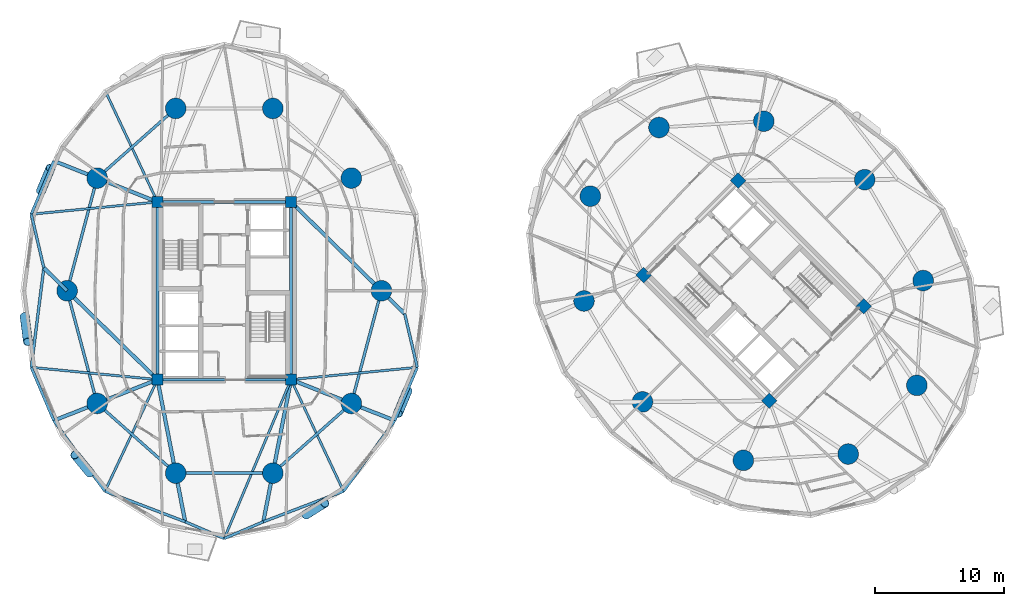
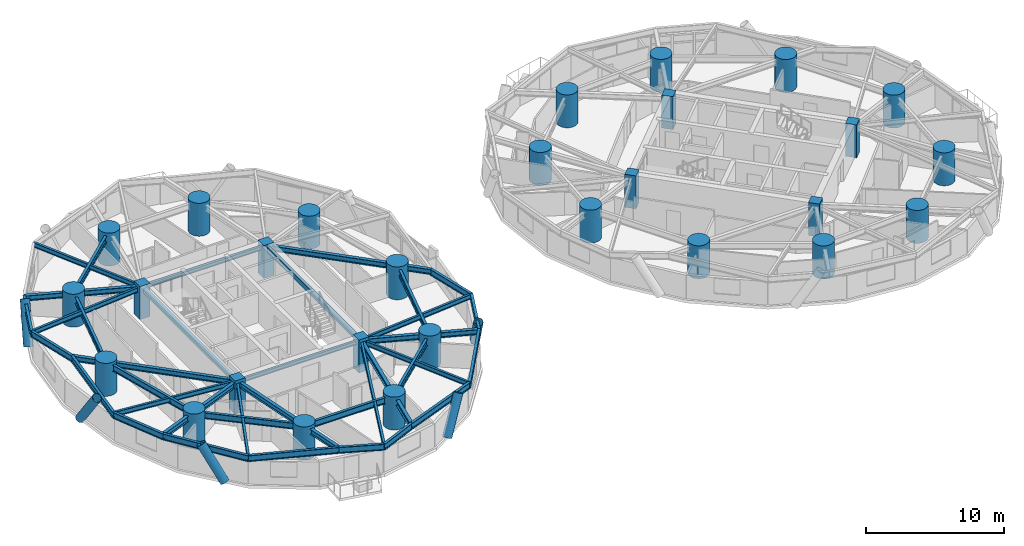
# One storey, part 1 of 19: 38 beams, 28 columns, 5 members.
"""IFC4 building model written with IfcOpenShell, lengths in metres."""

from ifc_helpers import new_model, si_unit, direction, frame, origin, origin_2d, place, context, subcontext, project, spatial, rectangle, hollow_rectangle, circle, hollow_circle, i_section, extrude, material, material_profile, profile_set, type_object, element, save


model = new_model("IFC4")

# Units and contexts
model_context = context("Model", 3, precision=1e-05, world=origin(), true_north=direction((0.0, 1.0)))
body_context = subcontext(model_context, "Body", "Model", "MODEL_VIEW")
ifc_project = project(units=[si_unit("LENGTHUNIT", "METRE"), si_unit("AREAUNIT", "SQUARE_METRE"), si_unit("VOLUMEUNIT", "CUBIC_METRE"), si_unit("PLANEANGLEUNIT", "RADIAN"), si_unit("MASSUNIT", "GRAM", prefix="KILO")], contexts=[model_context])

# Site, building, storey
site_placement = place(None, origin())
site = spatial("IfcSite", under=ifc_project, at=site_placement, CompositionType="ELEMENT")
building_placement = place(site_placement, origin())
building = spatial("IfcBuilding", under=site, at=building_placement, Name="Cununo Teusaquillo Station Towers", CompositionType="ELEMENT")
storey_placement = place(building_placement, frame((0.0, 0.0, 42.3701171875)))
storey = spatial("IfcBuildingStorey", under=building, at=storey_placement, Name="L12", CompositionType="ELEMENT", Elevation=42.3701171875)

# Columns
ifc_material_1 = material(Name="Concrete C50/60", Category="concrete")
ifc_material_profile_1 = material_profile(ifc_material_1, rectangle(XDim=0.85009765625, YDim=0.85009765625, at=origin_2d()), Name="RC-RECT-850x850")
ifc_profile_set_1 = profile_set([ifc_material_profile_1], Name="Concrete C50/60")
column_type_1 = type_object("IfcColumnType", Name="COL-CORE-Z1", PredefinedType="COLUMN", material=ifc_profile_set_1)
for number, where, z_axis, x_axis, name in (
    (1, (11.324951171875, 17.6201171875, 0.0), (0.0, 0.0, 1.0), (1.0, 0.0, 0.0), "L12 Tower A Core Column 1"),
    (2, (11.324951171875, 31.3798828125, 0.0), (0.0, 0.0, 1.0), (1.0, 0.0, 0.0), "L12 Tower A Core Column 2"),
    (3, (21.675048828125, 17.6201171875, 0.0), (0.0, 0.0, 1.0), (1.0, 0.0, 0.0), "L12 Tower A Core Column 3"),
    (4, (21.675048828125, 31.3798828125, 0.0), (0.0, 0.0, 1.0), (1.0, 0.0, 0.0), "L12 Tower A Core Column 4"),
    (5, (58.70556640625, 15.975830078125, 0.0), (0.0, 0.0, 1.0), (0.707106781187, 0.707106781187, 0.0), "L12 Tower B Core Column 1"),
    (6, (48.975830078125, 25.70556640625, 0.0), (0.0, 0.0, 1.0), (0.707106781187, 0.707106781187, 0.0), "L12 Tower B Core Column 2"),
    (7, (66.024169921875, 23.29443359375, 0.0), (0.0, 0.0, 1.0), (0.707106781187, 0.707106781187, 0.0), "L12 Tower B Core Column 3"),
    (8, (56.29443359375, 33.024169921875, 0.0), (0.0, 0.0, 1.0), (0.707106781187, 0.707106781187, 0.0), "L12 Tower B Core Column 4"),
):
    element("IfcColumn", number, at=place(storey_placement, frame(where, z_axis=z_axis, x_axis=x_axis)), inside=storey, type_object=column_type_1, Name=name, PredefinedType="COLUMN", context=body_context, shape_type="SweptSolid", body=[
        extrude(rectangle(XDim=0.85009765625, YDim=0.85009765625, at=origin_2d()), origin(), (0.0, 0.0, 1.0), 2.909912109375),
    ])
ifc_material_2 = material(Name="Concrete C60/75", Category="concrete")
ifc_material_profile_2 = material_profile(ifc_material_2, circle(Radius=0.800048828125, at=origin_2d()), Name="RC-CIRC-1600")
ifc_profile_set_2 = profile_set([ifc_material_profile_2], Name="Concrete C60/75")
column_type_2 = type_object("IfcColumnType", Name="COL-MEGA-Z1", PredefinedType="USERDEFINED", material=ifc_profile_set_2)
for number, where, z_axis, x_axis, name in (
    (9, (28.672119140625, 24.5, 0.0), (0.0, 0.0, 1.0), (1.0, 0.0, 0.0), "L12 Tower A Perimeter Column V00"),
    (10, (26.347412109375, 33.228515625, 0.0), (0.0, 0.0, 1.0), (1.0, 0.0, 0.0), "L12 Tower A Perimeter Column V02"),
    (11, (20.261474609375, 38.623291015625, 0.0), (0.0, 0.0, 1.0), (1.0, 0.0, 0.0), "L12 Tower A Perimeter Column V04"),
    (12, (12.738525390625, 38.623291015625, 0.0), (0.0, 0.0, 1.0), (1.0, 0.0, 0.0), "L12 Tower A Perimeter Column V06"),
    (13, (6.652587890625, 33.228515625, 0.0), (0.0, 0.0, 1.0), (1.0, 0.0, 0.0), "L12 Tower A Perimeter Column V08"),
    (14, (4.327880859375, 24.5, 0.0), (0.0, 0.0, 1.0), (1.0, 0.0, 0.0), "L12 Tower A Perimeter Column V10"),
    (15, (6.652587890625, 15.771484375, 0.0), (0.0, 0.0, 1.0), (1.0, 0.0, 0.0), "L12 Tower A Perimeter Column V12"),
    (16, (12.738525390625, 10.376708984375, 0.0), (0.0, 0.0, 1.0), (1.0, 0.0, 0.0), "L12 Tower A Perimeter Column V14"),
    (17, (20.261474609375, 10.376708984375, 0.0), (0.0, 0.0, 1.0), (1.0, 0.0, 0.0), "L12 Tower A Perimeter Column V16"),
    (18, (26.347412109375, 15.771484375, 0.0), (0.0, 0.0, 1.0), (1.0, 0.0, 0.0), "L12 Tower A Perimeter Column V18"),
    (19, (66.10693359375, 33.10693359375, 0.0), (0.0, 0.0, 1.0), (1.0, 0.0, 0.0), "L12 Tower B Perimeter Column V00"),
    (20, (58.291015625, 37.63525390625, 0.0), (0.0, 0.0, 1.0), (1.0, 0.0, 0.0), "L12 Tower B Perimeter Column V02"),
    (21, (50.173095703125, 37.146240234375, 0.0), (0.0, 0.0, 1.0), (1.0, 0.0, 0.0), "L12 Tower B Perimeter Column V04"),
    (22, (44.853759765625, 31.826904296875, 0.0), (0.0, 0.0, 1.0), (1.0, 0.0, 0.0), "L12 Tower B Perimeter Column V06"),
    (23, (44.36474609375, 23.708984375, 0.0), (0.0, 0.0, 1.0), (1.0, 0.0, 0.0), "L12 Tower B Perimeter Column V08"),
    (24, (48.89306640625, 15.89306640625, 0.0), (0.0, 0.0, 1.0), (1.0, 0.0, 0.0), "L12 Tower B Perimeter Column V10"),
    (25, (56.708984375, 11.36474609375, 0.0), (0.0, 0.0, 1.0), (1.0, 0.0, 0.0), "L12 Tower B Perimeter Column V12"),
    (26, (64.826904296875, 11.853759765625, 0.0), (0.0, 0.0, 1.0), (1.0, 0.0, 0.0), "L12 Tower B Perimeter Column V14"),
    (27, (70.146240234375, 17.173095703125, 0.0), (0.0, 0.0, 1.0), (1.0, 0.0, 0.0), "L12 Tower B Perimeter Column V16"),
    (28, (70.63525390625, 25.291015625, 0.0), (0.0, 0.0, 1.0), (1.0, 0.0, 0.0), "L12 Tower B Perimeter Column V18"),
):
    element("IfcColumn", number, at=place(storey_placement, frame(where, z_axis=z_axis, x_axis=x_axis)), inside=storey, type_object=column_type_2, Name=name, ObjectType="MEGA COLUMN", PredefinedType="USERDEFINED", context=body_context, shape_type="SweptSolid", body=[
        extrude(circle(Radius=0.800048828125, at=origin_2d()), origin(), (0.0, 0.0, 1.0), 2.909912109375),
    ])

# Beams
ifc_material_3 = material(Name="Steel EN 10025-2 S355J2", Category="steel")
ifc_material_profile_3 = material_profile(ifc_material_3, hollow_rectangle(XDim=0.25, YDim=0.449951171875, WallThickness=0.01611328125, at=origin_2d()), Name="RHS 450x250x16")
ifc_profile_set_3 = profile_set([ifc_material_profile_3], Name="Steel EN 10025-2 S355J2")
beam_type_1 = type_object("IfcBeamType", Name="BM-COUP-1", PredefinedType="USERDEFINED", material=ifc_profile_set_3)
for number, where, z_axis, x_axis, name in (
    (29, (11.324951171875, 17.6201171875, 2.4248046875), (0.0, 1.0, 0.0), (-1.0, 0.0, 0.0), "L12 Tower A Core Beam 1"),
    (30, (21.675048828125, 17.6201171875, 2.4248046875), (0.0, 1.0, 0.0), (-1.0, 0.0, 0.0), "L12 Tower A Core Beam 2"),
):
    element("IfcBeam", number, at=place(storey_placement, frame(where, z_axis=z_axis, x_axis=x_axis)), inside=storey, type_object=beam_type_1, Name=name, ObjectType="COUPLING BEAM", PredefinedType="USERDEFINED", context=body_context, shape_type="SweptSolid", body=[
        extrude(hollow_rectangle(XDim=0.25, YDim=0.449951171875, WallThickness=0.01611328125, at=origin_2d()), origin(), (0.0, 0.0, 1.0), 13.759765625),
    ])
ifc_material_4 = material(Name="Steel ASTM A572 Grade 50", Category="steel")
ifc_material_profile_4 = material_profile(ifc_material_4, i_section(OverallWidth=0.180908203125, OverallDepth=0.4169921875, WebThickness=0.010986328125, FlangeThickness=0.018310546875, FilletRadius=0.012939453125, at=origin_2d()), Name="W16X57")
ifc_profile_set_4 = profile_set([ifc_material_profile_4], Name="Steel ASTM A572 Grade 50")
beam_type_2 = type_object("IfcBeamType", Name="BM-JOIST-1", PredefinedType="JOIST", material=ifc_profile_set_4)
beam_1_placement = place(storey_placement, frame((11.324951171875, 31.3798828125, 2.44140625), z_axis=(-0.425472080871, 0.904971551155, 0.0), x_axis=(-0.904971551155, -0.425472080871, 0.0)))
element("IfcBeam", 31, at=beam_1_placement, inside=storey, type_object=beam_type_2, Name="L12 Tower A Radial Spandrel Joist V07", PredefinedType="JOIST", context=body_context, shape_type="SweptSolid", body=[
    extrude(i_section(OverallWidth=0.180908203125, OverallDepth=0.4169921875, WebThickness=0.010986328125, FlangeThickness=0.018310546875, FilletRadius=0.012939453125, at=origin_2d()), origin(), (0.0, 0.0, 1.0), 9.552734375),
])
for number, where, z_axis, x_axis, name in (
    (32, (11.324951171875, 31.3798828125, 2.44140625), (-0.995310719276, -0.096729375545, 0.0), (0.096729375545, -0.995310719276, 0.0), "L12 Tower A Radial Spandrel Joist V09"),
    (33, (11.324951171875, 17.6201171875, 2.44140625), (-0.995310719276, 0.096729375545, 0.0), (-0.096729375545, -0.995310719276, 0.0), "L12 Tower A Radial Spandrel Joist V11"),
):
    element("IfcBeam", number, at=place(storey_placement, frame(where, z_axis=z_axis, x_axis=x_axis)), inside=storey, type_object=beam_type_2, Name=name, PredefinedType="JOIST", context=body_context, shape_type="SweptSolid", body=[
        extrude(i_section(OverallWidth=0.180908203125, OverallDepth=0.4169921875, WebThickness=0.010986328125, FlangeThickness=0.018310546875, FilletRadius=0.012939453125, at=origin_2d()), origin(), (0.0, 0.0, 1.0), 9.82080078125),
    ])
beam_2_placement = place(storey_placement, frame((11.324951171875, 17.6201171875, 2.44140625), z_axis=(-0.425472080871, -0.904971551155, 0.0), x_axis=(0.904971551155, -0.425472080871, 0.0)))
element("IfcBeam", 34, at=beam_2_placement, inside=storey, type_object=beam_type_2, Name="L12 Tower A Radial Spandrel Joist V13", PredefinedType="JOIST", context=body_context, shape_type="SweptSolid", body=[
    extrude(i_section(OverallWidth=0.180908203125, OverallDepth=0.4169921875, WebThickness=0.010986328125, FlangeThickness=0.018310546875, FilletRadius=0.012939453125, at=origin_2d()), origin(), (0.0, 0.0, 1.0), 9.552734375),
])
beam_3_placement = place(storey_placement, frame((21.675048828125, 17.6201171875, 2.44140625), z_axis=(-0.387539558454, -0.92185307432, 0.0), x_axis=(0.92185307432, -0.387539558454, 0.0)))
element("IfcBeam", 35, at=beam_3_placement, inside=storey, type_object=beam_type_2, Name="L12 Tower A Radial Spandrel Joist V15", PredefinedType="JOIST", context=body_context, shape_type="SweptSolid", body=[
    extrude(i_section(OverallWidth=0.180908203125, OverallDepth=0.4169921875, WebThickness=0.010986328125, FlangeThickness=0.018310546875, FilletRadius=0.012939453125, at=origin_2d()), origin(), (0.0, 0.0, 1.0), 13.353515625),
])
beam_4_placement = place(storey_placement, frame((21.675048828125, 17.6201171875, 2.44140625), z_axis=(0.425472080871, -0.904971551155, 0.0), x_axis=(0.904971551155, 0.425472080871, 0.0)))
element("IfcBeam", 36, at=beam_4_placement, inside=storey, type_object=beam_type_2, Name="L12 Tower A Radial Spandrel Joist V17", PredefinedType="JOIST", context=body_context, shape_type="SweptSolid", body=[
    extrude(i_section(OverallWidth=0.180908203125, OverallDepth=0.4169921875, WebThickness=0.010986328125, FlangeThickness=0.018310546875, FilletRadius=0.012939453125, at=origin_2d()), origin(), (0.0, 0.0, 1.0), 9.552734375),
])
beam_5_placement = place(storey_placement, frame((21.675048828125, 17.6201171875, 2.44140625), z_axis=(0.995310719276, 0.096729375545, 0.0), x_axis=(-0.096729375545, 0.995310719276, 0.0)))
element("IfcBeam", 37, at=beam_5_placement, inside=storey, type_object=beam_type_2, Name="L12 Tower A Radial Spandrel Joist V19", PredefinedType="JOIST", context=body_context, shape_type="SweptSolid", body=[
    extrude(i_section(OverallWidth=0.180908203125, OverallDepth=0.4169921875, WebThickness=0.010986328125, FlangeThickness=0.018310546875, FilletRadius=0.012939453125, at=origin_2d()), origin(), (0.0, 0.0, 1.0), 9.82080078125),
])
ifc_material_5 = material(Name="Steel ASTM A572 Grade 50", Category="steel")
ifc_material_profile_5 = material_profile(ifc_material_5, i_section(OverallWidth=0.2041015625, OverallDepth=0.35009765625, WebThickness=0.008544921875, FlangeThickness=0.01513671875, FilletRadius=0.011962890625, at=origin_2d()), Name="W14X48")
ifc_profile_set_5 = profile_set([ifc_material_profile_5], Name="Steel ASTM A572 Grade 50")
beam_type_3 = type_object("IfcBeamType", Name="BM-LINTEL-1", PredefinedType="LINTEL", material=ifc_profile_set_5)
for number, where, z_axis, x_axis, name in (
    (38, (11.324951171875, 17.6201171875, 2.474853515625), (1.0, 0.0, 0.0), (0.0, 1.0, 0.0), "L12 Tower A Core Beam 3"),
    (39, (11.324951171875, 31.3798828125, 2.474853515625), (1.0, 0.0, 0.0), (0.0, 1.0, 0.0), "L12 Tower A Core Beam 4"),
):
    element("IfcBeam", number, at=place(storey_placement, frame(where, z_axis=z_axis, x_axis=x_axis)), inside=storey, type_object=beam_type_3, Name=name, PredefinedType="LINTEL", context=body_context, shape_type="SweptSolid", body=[
        extrude(i_section(OverallWidth=0.2041015625, OverallDepth=0.35009765625, WebThickness=0.008544921875, FlangeThickness=0.01513671875, FilletRadius=0.011962890625, at=origin_2d()), origin(), (0.0, 0.0, 1.0), 10.35009765625),
    ])
ifc_material_6 = material(Name="Steel ASTM A572 Grade 50", Category="steel")
ifc_material_profile_6 = material_profile(ifc_material_6, i_section(OverallWidth=0.280029296875, OverallDepth=0.462890625, WebThickness=0.0107421875, FlangeThickness=0.017333984375, FilletRadius=0.013916015625, at=origin_2d()), Name="W18X76")
ifc_profile_set_6 = profile_set([ifc_material_profile_6], Name="Steel ASTM A572 Grade 50")
beam_type_4 = type_object("IfcBeamType", Name="BM-RAD-G1", PredefinedType="BEAM", material=ifc_profile_set_6)
beam_6_placement = place(storey_placement, frame((21.675048828125, 31.3798828125, 2.41845703125), z_axis=(0.713055489462, -0.701107601548, 0.0), x_axis=(0.701107601548, 0.713055489462, 0.0)))
element("IfcBeam", 40, at=beam_6_placement, inside=storey, type_object=beam_type_4, Name="L12 Tower A Continuous Overhanging Radial Girder 01", PredefinedType="BEAM", context=body_context, shape_type="SweptSolid", body=[
    extrude(i_section(OverallWidth=0.280029296875, OverallDepth=0.462890625, WebThickness=0.0107421875, FlangeThickness=0.017333984375, FilletRadius=0.013916015625, at=origin_2d()), origin(), (0.0, 0.0, 1.0), 12.342041015625),
])
beam_7_placement = place(storey_placement, frame((11.324951171875, 31.3798828125, 2.41845703125), z_axis=(-0.929864879908, 0.367901216516, 0.0), x_axis=(-0.367901216516, -0.929864879908, 0.0)))
element("IfcBeam", 41, at=beam_7_placement, inside=storey, type_object=beam_type_4, Name="L12 Tower A Continuous Overhanging Radial Girder 05", PredefinedType="BEAM", context=body_context, shape_type="SweptSolid", body=[
    extrude(i_section(OverallWidth=0.280029296875, OverallDepth=0.462890625, WebThickness=0.0107421875, FlangeThickness=0.017333984375, FilletRadius=0.013916015625, at=origin_2d()), origin(), (0.0, 0.0, 1.0), 8.631591796875),
])
beam_8_placement = place(storey_placement, frame((11.324951171875, 17.6201171875, 2.41845703125), z_axis=(-0.713052701438, 0.701110437073, 0.0), x_axis=(-0.701110437073, -0.713052701438, 0.0)))
element("IfcBeam", 42, at=beam_8_placement, inside=storey, type_object=beam_type_4, Name="L12 Tower A Radial Girder 06A", PredefinedType="BEAM", context=body_context, shape_type="SweptSolid", body=[
    extrude(i_section(OverallWidth=0.280029296875, OverallDepth=0.462890625, WebThickness=0.0107421875, FlangeThickness=0.017333984375, FilletRadius=0.013916015625, at=origin_2d()), origin(), (0.0, 0.0, 1.0), 9.812744140625),
])
beam_9_placement = place(storey_placement, frame((4.327880859375, 24.5, 2.41845703125), z_axis=(-0.713066306507, 0.701096599995, 0.0), x_axis=(-0.701096599995, -0.713066306507, 0.0)))
element("IfcBeam", 43, at=beam_9_placement, inside=storey, type_object=beam_type_4, Name="L12 Tower A Perimeter Overhang Girder 06B", PredefinedType="BEAM", context=body_context, shape_type="SweptSolid", body=[
    extrude(i_section(OverallWidth=0.280029296875, OverallDepth=0.462890625, WebThickness=0.0107421875, FlangeThickness=0.017333984375, FilletRadius=0.013916015625, at=origin_2d()), origin(), (0.0, 0.0, 1.0), 2.529052734375),
])
beam_10_placement = place(storey_placement, frame((11.324951171875, 17.6201171875, 2.41845703125), z_axis=(-0.929864879908, -0.367901216516, 0.0), x_axis=(0.367901216516, -0.929864879908, 0.0)))
element("IfcBeam", 44, at=beam_10_placement, inside=storey, type_object=beam_type_4, Name="L12 Tower A Continuous Overhanging Radial Girder 07", PredefinedType="BEAM", context=body_context, shape_type="SweptSolid", body=[
    extrude(i_section(OverallWidth=0.280029296875, OverallDepth=0.462890625, WebThickness=0.0107421875, FlangeThickness=0.017333984375, FilletRadius=0.013916015625, at=origin_2d()), origin(), (0.0, 0.0, 1.0), 8.631591796875),
])
for number, where, z_axis, x_axis, name in (
    (45, (11.324951171875, 17.6201171875, 2.41845703125), (0.191549210283, -0.981483010571, 0.0), (0.981483010571, 0.191549210283, 0.0), "L12 Tower A Continuous Overhanging Radial Girder 08"),
    (46, (21.675048828125, 17.6201171875, 2.41845703125), (-0.191549210283, -0.981483010571, 0.0), (0.981483010571, -0.191549210283, 0.0), "L12 Tower A Continuous Overhanging Radial Girder 09"),
):
    element("IfcBeam", number, at=place(storey_placement, frame(where, z_axis=z_axis, x_axis=x_axis)), inside=storey, type_object=beam_type_4, Name=name, PredefinedType="BEAM", context=body_context, shape_type="SweptSolid", body=[
        extrude(i_section(OverallWidth=0.280029296875, OverallDepth=0.462890625, WebThickness=0.0107421875, FlangeThickness=0.017333984375, FilletRadius=0.013916015625, at=origin_2d()), origin(), (0.0, 0.0, 1.0), 11.22119140625),
    ])
beam_11_placement = place(storey_placement, frame((21.675048828125, 17.6201171875, 2.41845703125), z_axis=(0.929864879908, -0.367901216516, 0.0), x_axis=(0.367901216516, 0.929864879908, 0.0)))
element("IfcBeam", 47, at=beam_11_placement, inside=storey, type_object=beam_type_4, Name="L12 Tower A Continuous Overhanging Radial Girder 10", PredefinedType="BEAM", context=body_context, shape_type="SweptSolid", body=[
    extrude(i_section(OverallWidth=0.280029296875, OverallDepth=0.462890625, WebThickness=0.0107421875, FlangeThickness=0.017333984375, FilletRadius=0.013916015625, at=origin_2d()), origin(), (0.0, 0.0, 1.0), 8.631591796875),
])
ifc_material_7 = material(Name="Steel ASTM A572 Grade 50", Category="steel")
ifc_material_profile_7 = material_profile(ifc_material_7, i_section(OverallWidth=0.214111328125, OverallDepth=0.549072265625, WebThickness=0.0146484375, FlangeThickness=0.023681640625, FilletRadius=0.014892578125, at=origin_2d()), Name="W21X93")
ifc_profile_set_7 = profile_set([ifc_material_profile_7], Name="Steel ASTM A572 Grade 50")
beam_type_5 = type_object("IfcBeamType", Name="BM-RING-Z1", PredefinedType="SPANDREL", material=ifc_profile_set_7)
beam_12_placement = place(storey_placement, frame((12.738525390625, 38.623291015625, 2.37548828125), z_axis=(-0.74832120039, -0.66333655187, 0.0), x_axis=(0.66333655187, -0.74832120039, 0.0)))
element("IfcBeam", 48, at=beam_12_placement, inside=storey, type_object=beam_type_5, Name="L12 Tower A Structural Column Ring Girder 04", PredefinedType="SPANDREL", context=body_context, shape_type="SweptSolid", body=[
    extrude(i_section(OverallWidth=0.214111328125, OverallDepth=0.549072265625, WebThickness=0.0146484375, FlangeThickness=0.023681640625, FilletRadius=0.014892578125, at=origin_2d()), origin(), (0.0, 0.0, 1.0), 8.1328125),
])
for number, where, z_axis, x_axis, name in (
    (49, (6.652587890625, 33.228515625, 2.37548828125), (-0.257363196347, -0.966314744359, 0.0), (0.966314744359, -0.257363196347, 0.0), "L12 Tower A Structural Column Ring Girder 05"),
    (50, (4.327880859375, 24.5, 2.37548828125), (0.257363196347, -0.966314744359, 0.0), (0.966314744359, 0.257363196347, 0.0), "L12 Tower A Structural Column Ring Girder 06"),
):
    element("IfcBeam", number, at=place(storey_placement, frame(where, z_axis=z_axis, x_axis=x_axis)), inside=storey, type_object=beam_type_5, Name=name, PredefinedType="SPANDREL", context=body_context, shape_type="SweptSolid", body=[
        extrude(i_section(OverallWidth=0.214111328125, OverallDepth=0.549072265625, WebThickness=0.0146484375, FlangeThickness=0.023681640625, FilletRadius=0.014892578125, at=origin_2d()), origin(), (0.0, 0.0, 1.0), 9.03271484375),
    ])
beam_13_placement = place(storey_placement, frame((6.652587890625, 15.771484375, 2.37548828125), z_axis=(0.74832120039, -0.66333655187, 0.0), x_axis=(0.66333655187, 0.74832120039, 0.0)))
element("IfcBeam", 51, at=beam_13_placement, inside=storey, type_object=beam_type_5, Name="L12 Tower A Structural Column Ring Girder 07", PredefinedType="SPANDREL", context=body_context, shape_type="SweptSolid", body=[
    extrude(i_section(OverallWidth=0.214111328125, OverallDepth=0.549072265625, WebThickness=0.0146484375, FlangeThickness=0.023681640625, FilletRadius=0.014892578125, at=origin_2d()), origin(), (0.0, 0.0, 1.0), 8.1328125),
])
beam_14_placement = place(storey_placement, frame((12.738525390625, 10.376708984375, 2.37548828125), z_axis=(1.0, 0.0, 0.0), x_axis=(0.0, 1.0, 0.0)))
element("IfcBeam", 52, at=beam_14_placement, inside=storey, type_object=beam_type_5, Name="L12 Tower A Structural Column Ring Girder 08", PredefinedType="SPANDREL", context=body_context, shape_type="SweptSolid", body=[
    extrude(i_section(OverallWidth=0.214111328125, OverallDepth=0.549072265625, WebThickness=0.0146484375, FlangeThickness=0.023681640625, FilletRadius=0.014892578125, at=origin_2d()), origin(), (0.0, 0.0, 1.0), 7.52294921875),
])
beam_15_placement = place(storey_placement, frame((20.261474609375, 10.376708984375, 2.37548828125), z_axis=(0.74832120039, 0.66333655187, 0.0), x_axis=(-0.66333655187, 0.74832120039, 0.0)))
element("IfcBeam", 53, at=beam_15_placement, inside=storey, type_object=beam_type_5, Name="L12 Tower A Structural Column Ring Girder 09", PredefinedType="SPANDREL", context=body_context, shape_type="SweptSolid", body=[
    extrude(i_section(OverallWidth=0.214111328125, OverallDepth=0.549072265625, WebThickness=0.0146484375, FlangeThickness=0.023681640625, FilletRadius=0.014892578125, at=origin_2d()), origin(), (0.0, 0.0, 1.0), 8.1328125),
])
beam_16_placement = place(storey_placement, frame((26.347412109375, 15.771484375, 2.37548828125), z_axis=(0.257363196347, 0.966314744359, 0.0), x_axis=(-0.966314744359, 0.257363196347, 0.0)))
element("IfcBeam", 54, at=beam_16_placement, inside=storey, type_object=beam_type_5, Name="L12 Tower A Structural Column Ring Girder 10", PredefinedType="SPANDREL", context=body_context, shape_type="SweptSolid", body=[
    extrude(i_section(OverallWidth=0.214111328125, OverallDepth=0.549072265625, WebThickness=0.0146484375, FlangeThickness=0.023681640625, FilletRadius=0.014892578125, at=origin_2d()), origin(), (0.0, 0.0, 1.0), 9.03271484375),
])
beam_17_placement = place(storey_placement, frame((3.298828125, 34.555419921875, 2.37548828125), z_axis=(-0.390233589069, -0.920715887754, 0.0), x_axis=(0.920715887754, -0.390233589069, 0.0)))
element("IfcBeam", 55, at=beam_17_placement, inside=storey, type_object=beam_type_5, Name="L12 Tower A Spandrel Ring Beam 09", PredefinedType="SPANDREL", context=body_context, shape_type="SweptSolid", body=[
    extrude(i_section(OverallWidth=0.214111328125, OverallDepth=0.549072265625, WebThickness=0.0146484375, FlangeThickness=0.023681640625, FilletRadius=0.014892578125, at=origin_2d()), origin(), (0.0, 0.0, 1.0), 4.480712890625),
])
beam_18_placement = place(storey_placement, frame((1.55029296875, 30.429931640625, 2.37548828125), z_axis=(0.228165913287, -0.97362226557, 0.0), x_axis=(0.97362226557, 0.228165913287, 0.0)))
element("IfcBeam", 56, at=beam_18_placement, inside=storey, type_object=beam_type_5, Name="L12 Tower A Spandrel Ring Beam 10", PredefinedType="SPANDREL", context=body_context, shape_type="SweptSolid", body=[
    extrude(i_section(OverallWidth=0.214111328125, OverallDepth=0.549072265625, WebThickness=0.0146484375, FlangeThickness=0.023681640625, FilletRadius=0.014892578125, at=origin_2d()), origin(), (0.0, 0.0, 1.0), 4.269287109375),
])
beam_19_placement = place(storey_placement, frame((2.5244140625, 26.273193359375, 2.37548828125), z_axis=(-0.125458746224, -0.992098837312, 0.0), x_axis=(0.992098837312, -0.125458746224, 0.0)))
element("IfcBeam", 57, at=beam_19_placement, inside=storey, type_object=beam_type_5, Name="L12 Tower A Spandrel Ring Beam 11", PredefinedType="SPANDREL", context=body_context, shape_type="SweptSolid", body=[
    extrude(i_section(OverallWidth=0.214111328125, OverallDepth=0.549072265625, WebThickness=0.0146484375, FlangeThickness=0.023681640625, FilletRadius=0.014892578125, at=origin_2d()), origin(), (0.0, 0.0, 1.0), 7.764404296875),
])
beam_20_placement = place(storey_placement, frame((1.55029296875, 18.570068359375, 2.37548828125), z_axis=(0.390233589069, -0.920715887754, 0.0), x_axis=(0.920715887754, 0.390233589069, 0.0)))
element("IfcBeam", 58, at=beam_20_placement, inside=storey, type_object=beam_type_5, Name="L12 Tower A Spandrel Ring Beam 12", PredefinedType="SPANDREL", context=body_context, shape_type="SweptSolid", body=[
    extrude(i_section(OverallWidth=0.214111328125, OverallDepth=0.549072265625, WebThickness=0.0146484375, FlangeThickness=0.023681640625, FilletRadius=0.014892578125, at=origin_2d()), origin(), (0.0, 0.0, 1.0), 4.480712890625),
])
beam_21_placement = place(storey_placement, frame((3.298828125, 14.444580078125, 2.37548828125), z_axis=(0.586607937648, -0.809871056087, 0.0), x_axis=(0.809871056087, 0.586607937648, 0.0)))
element("IfcBeam", 59, at=beam_21_placement, inside=storey, type_object=beam_type_5, Name="L12 Tower A Spandrel Ring Beam 13", PredefinedType="SPANDREL", context=body_context, shape_type="SweptSolid", body=[
    extrude(i_section(OverallWidth=0.214111328125, OverallDepth=0.549072265625, WebThickness=0.0146484375, FlangeThickness=0.023681640625, FilletRadius=0.014892578125, at=origin_2d()), origin(), (0.0, 0.0, 1.0), 6.75341796875),
])
beam_22_placement = place(storey_placement, frame((7.260498046875, 8.97509765625, 2.37548828125), z_axis=(0.934426653529, -0.356155624937, 0.0), x_axis=(0.356155624937, 0.934426653529, 0.0)))
element("IfcBeam", 60, at=beam_22_placement, inside=storey, type_object=beam_type_5, Name="L12 Tower A Spandrel Ring Beam 14", PredefinedType="SPANDREL", context=body_context, shape_type="SweptSolid", body=[
    extrude(i_section(OverallWidth=0.214111328125, OverallDepth=0.549072265625, WebThickness=0.0146484375, FlangeThickness=0.023681640625, FilletRadius=0.014892578125, at=origin_2d()), origin(), (0.0, 0.0, 1.0), 6.64990234375),
])
for number, where, z_axis, x_axis, name in (
    (61, (13.474365234375, 6.606689453125, 2.37548828125), (0.919152702301, -0.393901396104, 0.0), (0.393901396104, 0.919152702301, 0.0), "L12 Tower A Spandrel Ring Beam 15"),
    (62, (16.5, 5.31005859375, 2.37548828125), (0.919152702301, 0.393901396104, 0.0), (-0.393901396104, 0.919152702301, 0.0), "L12 Tower A Spandrel Ring Beam 16"),
):
    element("IfcBeam", number, at=place(storey_placement, frame(where, z_axis=z_axis, x_axis=x_axis)), inside=storey, type_object=beam_type_5, Name=name, PredefinedType="SPANDREL", context=body_context, shape_type="SweptSolid", body=[
        extrude(i_section(OverallWidth=0.214111328125, OverallDepth=0.549072265625, WebThickness=0.0146484375, FlangeThickness=0.023681640625, FilletRadius=0.014892578125, at=origin_2d()), origin(), (0.0, 0.0, 1.0), 3.291748046875),
    ])
beam_23_placement = place(storey_placement, frame((19.525634765625, 6.606689453125, 2.37548828125), z_axis=(0.934426653529, 0.356155624937, 0.0), x_axis=(-0.356155624937, 0.934426653529, 0.0)))
element("IfcBeam", 63, at=beam_23_placement, inside=storey, type_object=beam_type_5, Name="L12 Tower A Spandrel Ring Beam 17", PredefinedType="SPANDREL", context=body_context, shape_type="SweptSolid", body=[
    extrude(i_section(OverallWidth=0.214111328125, OverallDepth=0.549072265625, WebThickness=0.0146484375, FlangeThickness=0.023681640625, FilletRadius=0.014892578125, at=origin_2d()), origin(), (0.0, 0.0, 1.0), 6.64990234375),
])
beam_24_placement = place(storey_placement, frame((25.739501953125, 8.97509765625, 2.37548828125), z_axis=(0.586607937648, 0.809871056087, 0.0), x_axis=(-0.809871056087, 0.586607937648, 0.0)))
element("IfcBeam", 64, at=beam_24_placement, inside=storey, type_object=beam_type_5, Name="L12 Tower A Spandrel Ring Beam 18", PredefinedType="SPANDREL", context=body_context, shape_type="SweptSolid", body=[
    extrude(i_section(OverallWidth=0.214111328125, OverallDepth=0.549072265625, WebThickness=0.0146484375, FlangeThickness=0.023681640625, FilletRadius=0.014892578125, at=origin_2d()), origin(), (0.0, 0.0, 1.0), 6.75341796875),
])
beam_25_placement = place(storey_placement, frame((29.701171875, 14.444580078125, 2.37548828125), z_axis=(0.390233589069, 0.920715887754, 0.0), x_axis=(-0.920715887754, 0.390233589069, 0.0)))
element("IfcBeam", 65, at=beam_25_placement, inside=storey, type_object=beam_type_5, Name="L12 Tower A Spandrel Ring Beam 19", PredefinedType="SPANDREL", context=body_context, shape_type="SweptSolid", body=[
    extrude(i_section(OverallWidth=0.214111328125, OverallDepth=0.549072265625, WebThickness=0.0146484375, FlangeThickness=0.023681640625, FilletRadius=0.014892578125, at=origin_2d()), origin(), (0.0, 0.0, 1.0), 4.480712890625),
])
beam_26_placement = place(storey_placement, frame((31.44970703125, 18.570068359375, 2.37548828125), z_axis=(-0.228165913287, 0.97362226557, 0.0), x_axis=(-0.97362226557, -0.228165913287, 0.0)))
element("IfcBeam", 66, at=beam_26_placement, inside=storey, type_object=beam_type_5, Name="L12 Tower A Spandrel Ring Beam 20", PredefinedType="SPANDREL", context=body_context, shape_type="SweptSolid", body=[
    extrude(i_section(OverallWidth=0.214111328125, OverallDepth=0.549072265625, WebThickness=0.0146484375, FlangeThickness=0.023681640625, FilletRadius=0.014892578125, at=origin_2d()), origin(), (0.0, 0.0, 1.0), 4.269287109375),
])

# Members
ifc_material_8 = material(Name="Steel EN 10025-2 S355J2", Category="steel")
ifc_material_profile_8 = material_profile(ifc_material_8, hollow_circle(Radius=0.360107421875, WallThickness=0.028076171875, at=origin_2d()), Name="CHS 720x28")
ifc_profile_set_8 = profile_set([ifc_material_profile_8], Name="Steel EN 10025-2 S355J2")
member_type = type_object("IfcMemberType", Name="MBR-DIAG-Z1", PredefinedType="BRACE", material=ifc_profile_set_8)
member_1_placement = place(storey_placement, frame((2.294677734375, 32.213134765625, -0.14013671875), z_axis=(0.213036825729, 0.510505569267, 0.833066248644), x_axis=(-0.922867447473, 0.38511774095, 0.0)))
element("IfcMember", 67, at=member_1_placement, inside=storey, type_object=member_type, Name="L12 Tower A Folded-Zigzag Diagrid Tube C08", PredefinedType="BRACE", context=body_context, shape_type="SweptSolid", body=[
    extrude(hollow_circle(Radius=0.360107421875, WallThickness=0.028076171875, at=origin_2d()), origin(), (0.0, 0.0, 1.0), 3.492919921875),
])
member_2_placement = place(storey_placement, frame((1.037353515625, 22.523193359375, -0.14013671875), z_axis=(0.072749265495, -0.560397767312, 0.82502235531), x_axis=(0.991678776724, 0.128736955822, 0.0)))
element("IfcMember", 68, at=member_2_placement, inside=storey, type_object=member_type, Name="L12 Tower A Folded-Zigzag Diagrid Tube C10", PredefinedType="BRACE", context=body_context, shape_type="SweptSolid", body=[
    extrude(hollow_circle(Radius=0.360107421875, WallThickness=0.028076171875, at=origin_2d()), origin(), (0.0, 0.0, 1.0), 3.527099609375),
])
member_3_placement = place(storey_placement, frame((6.101318359375, 10.39013671875, -0.14013671875), z_axis=(-0.3371828348, 0.41176509234, 0.846615169157), x_axis=(-0.773695589224, -0.63355752321, 0.0)))
element("IfcMember", 69, at=member_3_placement, inside=storey, type_object=member_type, Name="L12 Tower A Folded-Zigzag Diagrid Tube C12", PredefinedType="BRACE", context=body_context, shape_type="SweptSolid", body=[
    extrude(hollow_circle(Radius=0.360107421875, WallThickness=0.028076171875, at=origin_2d()), origin(), (0.0, 0.0, 1.0), 3.43701171875),
])
member_4_placement = place(storey_placement, frame((22.818115234375, 7.15771484375, -0.14013671875), z_axis=(0.432109885705, 0.26881380488, 0.86082529295), x_axis=(-0.528224584169, 0.849104698303, 0.0)))
element("IfcMember", 70, at=member_4_placement, inside=storey, type_object=member_type, Name="L12 Tower A Folded-Zigzag Diagrid Tube C16", PredefinedType="BRACE", context=body_context, shape_type="SweptSolid", body=[
    extrude(hollow_circle(Radius=0.360107421875, WallThickness=0.028076171875, at=origin_2d()), origin(), (0.0, 0.0, 1.0), 3.38037109375),
])
member_5_placement = place(storey_placement, frame((30.705322265625, 16.786865234375, -0.14013671875), z_axis=(-0.213036825729, -0.510505569267, 0.833066248644), x_axis=(0.922867447473, -0.38511774095, 0.0)))
element("IfcMember", 71, at=member_5_placement, inside=storey, type_object=member_type, Name="L12 Tower A Folded-Zigzag Diagrid Tube C18", PredefinedType="BRACE", context=body_context, shape_type="SweptSolid", body=[
    extrude(hollow_circle(Radius=0.360107421875, WallThickness=0.028076171875, at=origin_2d()), origin(), (0.0, 0.0, 1.0), 3.492919921875),
])

save(model, "model.ifc")
